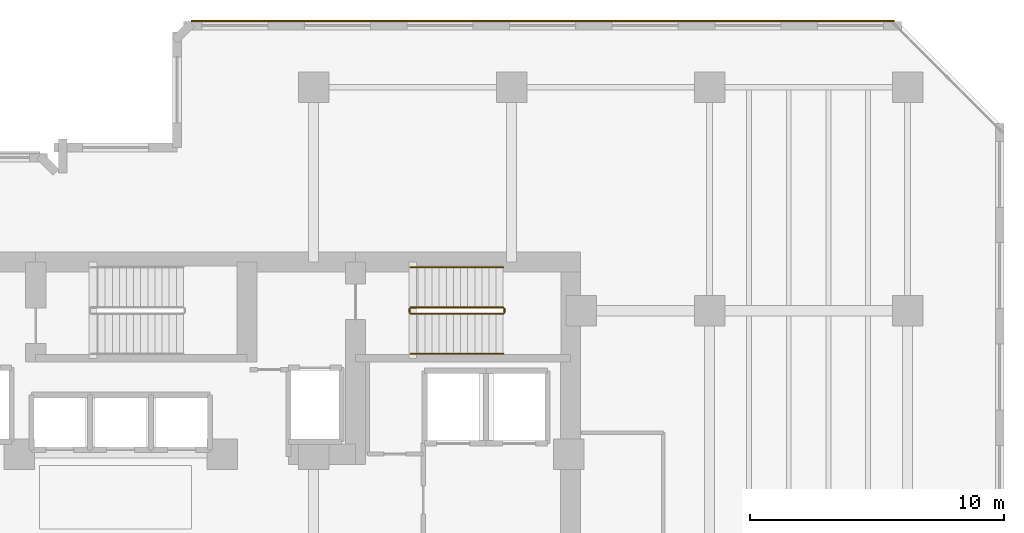
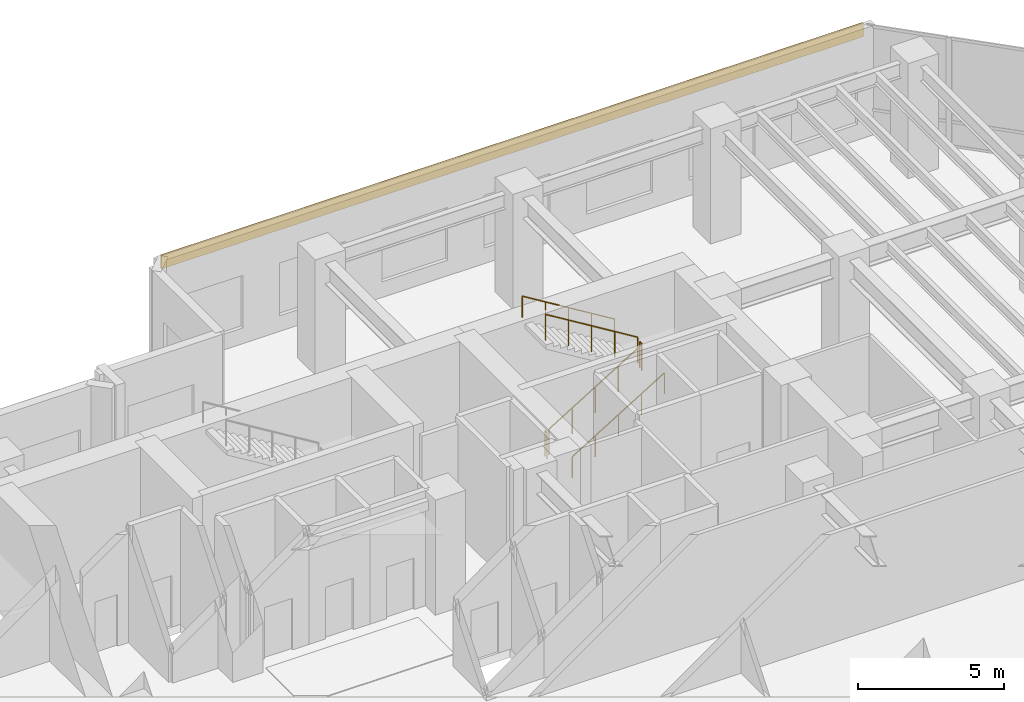
# One storey, part 17 of 17: 6 railings, 1 covering.
"""IFC4 building model written with IfcOpenShell, lengths in metres."""

from ifc_helpers import new_model, si_unit, direction, frame, origin, origin_2d, place, context, subcontext, project, spatial, rectangle, circle, extrude, material, layer, layer_set, type_object, element, save


model = new_model("IFC4")

# Units and contexts
model_context = context("Model", 3, precision=1e-05, world=origin(), true_north=direction((0.0, 1.0)))
body_context = subcontext(model_context, "Body", "Model", "MODEL_VIEW")
ifc_project = project(units=[si_unit("LENGTHUNIT", "METRE"), si_unit("AREAUNIT", "SQUARE_METRE"), si_unit("VOLUMEUNIT", "CUBIC_METRE"), si_unit("PLANEANGLEUNIT", "RADIAN"), si_unit("MASSUNIT", "GRAM", prefix="KILO")], contexts=[model_context])

# Site, building, storey
site_placement = place(None, origin())
site = spatial("IfcSite", under=ifc_project, at=site_placement, CompositionType="ELEMENT")
building_placement = place(site_placement, origin())
building = spatial("IfcBuilding", under=site, at=building_placement, Name="Kestravale Grand Hotel", CompositionType="ELEMENT")
storey_placement = place(building_placement, frame((0.0, 0.0, 129.800048828125)))
storey = spatial("IfcBuildingStorey", under=building, at=storey_placement, Name="L32", CompositionType="ELEMENT", Elevation=129.800048828125)

# Covering
ifc_material_1 = material(Name="Warm limestone-toned fluted architectural precast cladding", Category="masonry")
ifc_layer = layer(ifc_material_1, 0.074951171875)
ifc_layer_set = layer_set([ifc_layer], Name="COV-CLAD-LIM")
covering_type = type_object("IfcCoveringType", Name="COV-CLAD-LIM", PredefinedType="CLADDING", material=ifc_layer_set)
covering_placement = place(storey_placement, frame((55.824951171875, 49.81494140625, 3.97509765625), z_axis=(0.0, 0.0, 1.0), x_axis=(-1.0, 0.0, 0.0)))
element("IfcCovering", 1, at=covering_placement, inside=storey, type_object=covering_type, Name="L32 fluted limestone spandrel cladding 11", PredefinedType="CLADDING", context=body_context, shape_type="SweptSolid", body=[
    extrude(rectangle(XDim=27.68994140625, YDim=0.074951171875, at=origin_2d()), origin(), (0.0, 0.0, 1.0), 0.550048828125),
])

# Railings
ifc_material_2 = material(Name="Painted tubular steel stair well guard", Category="steel")
railing_type_1 = type_object("IfcRailingType", Name="RL-ST-GRD1100", PredefinedType="GUARDRAIL", material=ifc_material_2)
railing_1_placement = place(storey_placement, frame((50.6298828125, 38.280029296875, 0.17138671875)))
element("IfcRailing", 2, at=railing_1_placement, inside=storey, type_object=railing_type_1, Name="L32 ST-3 stair guard 1", PredefinedType="GUARDRAIL", context=body_context, shape_type="SweptSolid", body=[
    extrude(circle(Radius=0.02392578125, at=origin_2d()), frame((0.0, 0.0, 1.076171875), z_axis=(0.852865859571, 0.0, 0.52213008492), x_axis=(0.0, 1.0, 0.0)), (0.0, 0.0, 1.0), 4.26806640625),
    extrude(circle(Radius=0.02099609375, at=origin_2d()), origin(), (0.0, 0.0, 1.0), 1.052001953125),
    extrude(circle(Radius=0.02099609375, at=origin_2d()), frame((0.91015625, 0.0, 0.55712890625)), (0.0, 0.0, 1.0), 1.052001953125),
    extrude(circle(Radius=0.02099609375, at=origin_2d()), frame((1.820068359375, 0.0, 1.1142578125)), (0.0, 0.0, 1.0), 1.052001953125),
    extrude(circle(Radius=0.02099609375, at=origin_2d()), frame((2.72998046875, 0.0, 1.67138671875)), (0.0, 0.0, 1.0), 1.052001953125),
    extrude(circle(Radius=0.02099609375, at=origin_2d()), frame((3.64013671875, 0.0, 2.228515625)), (0.0, 0.0, 1.0), 1.052001953125),
])
railing_2_placement = place(storey_placement, frame((54.320068359375, 38.330078125, 2.39990234375)))
element("IfcRailing", 3, at=railing_2_placement, inside=storey, type_object=railing_type_1, Name="L32 ST-3 stair guard 2", PredefinedType="GUARDRAIL", context=body_context, shape_type="SweptSolid", body=[
    extrude(circle(Radius=0.02392578125, at=origin_2d()), frame((0.0, 0.0, 1.076171875), z_axis=(0.0, 1.0, 0.0), x_axis=(-1.0, 0.0, 0.0)), (0.0, 0.0, 1.0), 0.14990234375),
    extrude(circle(Radius=0.02099609375, at=origin_2d()), origin(), (0.0, 0.0, 1.0), 1.052001953125),
    extrude(circle(Radius=0.02099609375, at=origin_2d()), frame((0.0, 0.14990234375, 0.0)), (0.0, 0.0, 1.0), 1.052001953125),
])
railing_3_placement = place(storey_placement, frame((54.27001953125, 38.530029296875, 2.5712890625)))
element("IfcRailing", 4, at=railing_3_placement, inside=storey, type_object=railing_type_1, Name="L32 ST-3 stair guard 3", PredefinedType="GUARDRAIL", context=body_context, shape_type="SweptSolid", body=[
    extrude(circle(Radius=0.02392578125, at=origin_2d()), frame((0.0, 0.0, 1.076171875), z_axis=(-0.852840387347, 0.0, 0.522171689878), x_axis=(0.0, -1.0, 0.0)), (0.0, 0.0, 1.0), 4.268310546875),
    extrude(circle(Radius=0.02099609375, at=origin_2d()), origin(), (0.0, 0.0, 1.0), 1.052001953125),
    extrude(circle(Radius=0.02099609375, at=origin_2d()), frame((-0.91015625, 0.0, 0.55712890625)), (0.0, 0.0, 1.0), 1.052001953125),
    extrude(circle(Radius=0.02099609375, at=origin_2d()), frame((-1.820068359375, 0.0, 1.1142578125)), (0.0, 0.0, 1.0), 1.052001953125),
    extrude(circle(Radius=0.02099609375, at=origin_2d()), frame((-2.72998046875, 0.0, 1.671630859375)), (0.0, 0.0, 1.0), 1.052001953125),
    extrude(circle(Radius=0.02099609375, at=origin_2d()), frame((-3.64013671875, 0.0, 2.228759765625)), (0.0, 0.0, 1.0), 1.052001953125),
])
railing_4_placement = place(storey_placement, frame((50.580078125, 38.330078125, 0.0)))
element("IfcRailing", 5, at=railing_4_placement, inside=storey, type_object=railing_type_1, Name="L32 ST-3 stair guard 4", PredefinedType="GUARDRAIL", context=body_context, shape_type="SweptSolid", body=[
    extrude(circle(Radius=0.02392578125, at=origin_2d()), frame((0.0, 0.0, 1.076171875), z_axis=(0.0, 1.0, 0.0), x_axis=(-1.0, 0.0, 0.0)), (0.0, 0.0, 1.0), 0.14990234375),
    extrude(circle(Radius=0.02099609375, at=origin_2d()), origin(), (0.0, 0.0, 1.0), 1.052001953125),
    extrude(circle(Radius=0.02099609375, at=origin_2d()), frame((0.0, 0.14990234375, 0.0)), (0.0, 0.0, 1.0), 1.052001953125),
])
ifc_material_3 = material(Name="Brushed stainless steel wall handrail", Category="steel")
railing_type_2 = type_object("IfcRailingType", Name="RL-ST-HND900", PredefinedType="HANDRAIL", material=ifc_material_3)
railing_5_placement = place(storey_placement, frame((50.6298828125, 36.699951171875, 0.17138671875)))
element("IfcRailing", 6, at=railing_5_placement, inside=storey, type_object=railing_type_2, Name="L32 ST-3 stair handrail 1", PredefinedType="HANDRAIL", context=body_context, shape_type="SweptSolid", body=[
    extrude(circle(Radius=0.02392578125, at=origin_2d()), frame((0.0, 0.0, 0.8759765625), z_axis=(0.852865859571, 0.0, 0.52213008492), x_axis=(0.0, 1.0, 0.0)), (0.0, 0.0, 1.0), 4.26806640625),
    extrude(circle(Radius=0.02099609375, at=origin_2d()), origin(), (0.0, 0.0, 1.0), 0.851806640625),
    extrude(circle(Radius=0.02099609375, at=origin_2d()), frame((0.91015625, 0.0, 0.55712890625)), (0.0, 0.0, 1.0), 0.851806640625),
    extrude(circle(Radius=0.02099609375, at=origin_2d()), frame((1.820068359375, 0.0, 1.1142578125)), (0.0, 0.0, 1.0), 0.851806640625),
    extrude(circle(Radius=0.02099609375, at=origin_2d()), frame((2.72998046875, 0.0, 1.67138671875)), (0.0, 0.0, 1.0), 0.851806640625),
    extrude(circle(Radius=0.02099609375, at=origin_2d()), frame((3.64013671875, 0.0, 2.228515625)), (0.0, 0.0, 1.0), 0.851806640625),
])
railing_6_placement = place(storey_placement, frame((54.27001953125, 40.110107421875, 2.5712890625)))
element("IfcRailing", 7, at=railing_6_placement, inside=storey, type_object=railing_type_2, Name="L32 ST-3 stair handrail 2", PredefinedType="HANDRAIL", context=body_context, shape_type="SweptSolid", body=[
    extrude(circle(Radius=0.02392578125, at=origin_2d()), frame((0.0, 0.0, 0.8759765625), z_axis=(-0.852840387347, 0.0, 0.522171689878), x_axis=(0.0, -1.0, 0.0)), (0.0, 0.0, 1.0), 4.268310546875),
    extrude(circle(Radius=0.02099609375, at=origin_2d()), origin(), (0.0, 0.0, 1.0), 0.851806640625),
    extrude(circle(Radius=0.02099609375, at=origin_2d()), frame((-0.91015625, 0.0, 0.55712890625)), (0.0, 0.0, 1.0), 0.851806640625),
    extrude(circle(Radius=0.02099609375, at=origin_2d()), frame((-1.820068359375, 0.0, 1.1142578125)), (0.0, 0.0, 1.0), 0.851806640625),
    extrude(circle(Radius=0.02099609375, at=origin_2d()), frame((-2.72998046875, 0.0, 1.671630859375)), (0.0, 0.0, 1.0), 0.851806640625),
    extrude(circle(Radius=0.02099609375, at=origin_2d()), frame((-3.64013671875, 0.0, 2.228759765625)), (0.0, 0.0, 1.0), 0.851806640625),
])

save(model, "model.ifc")
